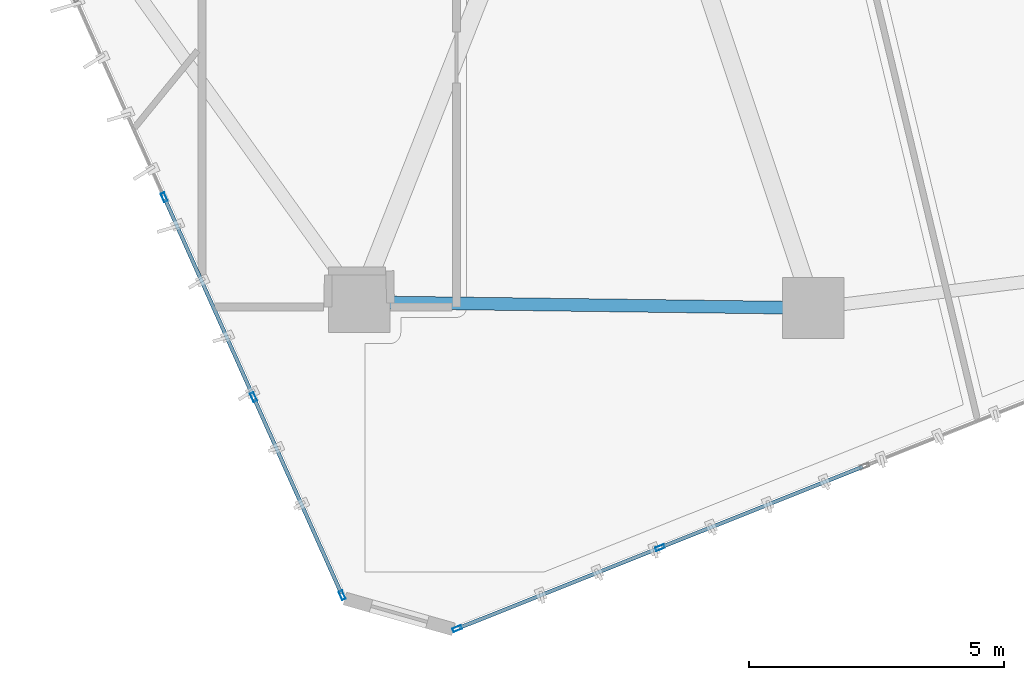
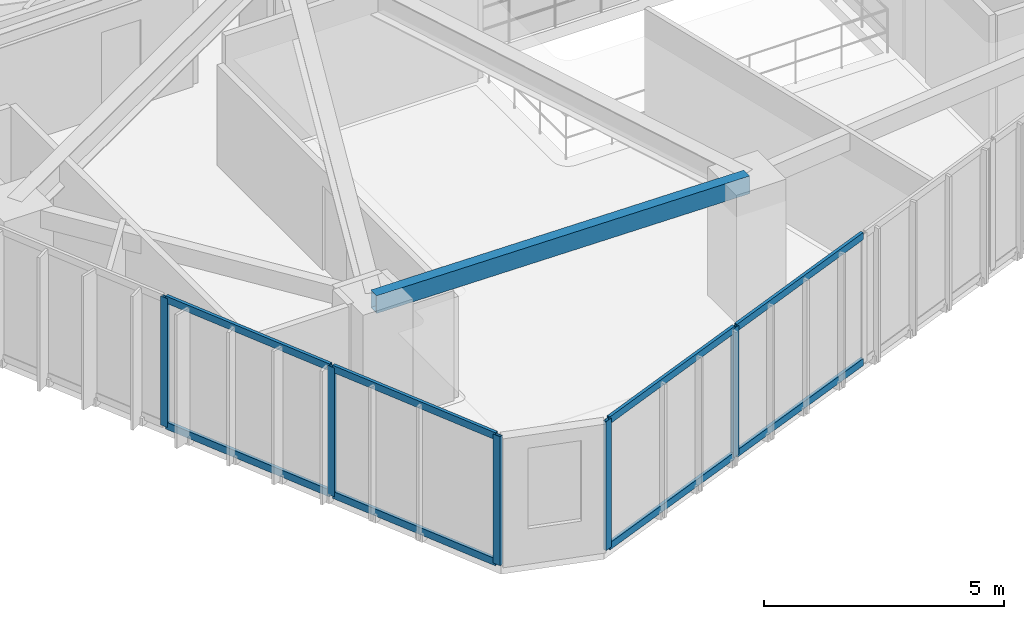
# One storey, part 2 of 22: 13 members, 1 beam, 2 elements without a shape of their own.
"""IFC4 building model written with IfcOpenShell, lengths in metres."""

from ifc_helpers import new_model, si_unit, direction, frame, origin, origin_2d, place, context, subcontext, project, spatial, hollow_rectangle, extrude, source, transform, mapped, material, layer, layer_set, material_profile, profile_set, type_object, type_shapes, element, aggregate, save


model = new_model("IFC4")

# Units and contexts
model_context = context("Model", 3, precision=1e-05, world=origin(), true_north=direction((0.0, 1.0)))
body_context = subcontext(model_context, "Body", "Model", "MODEL_VIEW")
ifc_project = project(units=[si_unit("LENGTHUNIT", "METRE"), si_unit("AREAUNIT", "SQUARE_METRE"), si_unit("VOLUMEUNIT", "CUBIC_METRE"), si_unit("PLANEANGLEUNIT", "RADIAN"), si_unit("MASSUNIT", "GRAM", prefix="KILO")], contexts=[model_context])

# Site, building, storey
site_placement = place(None, origin())
site = spatial("IfcSite", under=ifc_project, at=site_placement, CompositionType="ELEMENT")
building_placement = place(site_placement, origin())
building = spatial("IfcBuilding", under=site, at=building_placement, Name="Talar Marvaseh", CompositionType="ELEMENT")
storey_placement = place(building_placement, frame((0.0, 0.0, 154.199951171875)))
storey = spatial("IfcBuildingStorey", under=building, at=storey_placement, Name="L40", CompositionType="ELEMENT", Elevation=154.199951171875)

# Beam
ifc_material_1 = material(Name="Steel S355", Category="steel")
ifc_material_profile_1 = material_profile(ifc_material_1, hollow_rectangle(XDim=0.25, YDim=0.449951171875, WallThickness=0.01611328125, at=origin_2d()), Name="RHS450x250x16")
ifc_profile_set_1 = profile_set([ifc_material_profile_1], Name="Steel S355")
beam_type = type_object("IfcBeamType", Name="Zone 2 Perimeter Spandrel Beam RHS450x250x16", PredefinedType="SPANDREL", material=ifc_profile_set_1)
beam_placement = place(storey_placement, frame((22.804931640625, 13.18310546875, 3.054931640625), z_axis=(-0.999915383581, 0.013008677034, 0.0), x_axis=(-0.013008677034, -0.999915383581, 0.0)))
element("IfcBeam", 1, at=beam_placement, inside=storey, type_object=beam_type, Name="L40 Zone 2 Perimeter Spandrel Beam RHS450x250x16", PredefinedType="SPANDREL", context=body_context, shape_type="SweptSolid", body=[
    extrude(hollow_rectangle(XDim=0.25, YDim=0.449951171875, WallThickness=0.01611328125, at=origin_2d()), origin(), (0.0, 0.0, 1.0), 8.91455078125),
])

# Curtain wall, members
ifc_material_2 = material(Name="Architectural Aluminium", Category="aluminium")
ifc_layer = layer(ifc_material_2, 0.199951171875)
ifc_layer_set = layer_set([ifc_layer], Name="Architectural Aluminium")
curtain_wall_type = type_object("IfcCurtainWallType", Name="Unitised Acoustic Library Curtain Wall Z2", PredefinedType="NOTDEFINED", material=ifc_layer_set)
curtain_wall_1_placement = place(storey_placement, origin())
curtain_wall_1 = element("IfcCurtainWall", 2, at=curtain_wall_1_placement, inside=storey, type_object=curtain_wall_type, Name="L40 Unitised Acoustic Library Curtain Wall Z2", PredefinedType="NOTDEFINED")
ifc_material_profile_2 = material_profile(ifc_material_2, hollow_rectangle(XDim=0.074951171875, YDim=0.179931640625, WallThickness=0.0048828125, at=origin_2d()), Name="RHS180x75x5")
ifc_profile_set_2 = profile_set([ifc_material_profile_2], Name="Architectural Aluminium")
member_type_1 = type_object("IfcMemberType", Name="Unitised Curtain Wall Transom RHS180x75x5", PredefinedType="USERDEFINED", material=ifc_profile_set_2)
shared_shape_1 = source(origin(), body_context, "Body", "SweptSolid", [
    extrude(hollow_rectangle(XDim=0.074951171875, YDim=0.179931640625, WallThickness=0.0048828125, at=origin_2d()), origin(), (0.0, 0.0, 1.0), 4.222900390625),
])
member_1_placement = place(storey_placement, frame((11.80029296875, 11.468505859375, 0.03759765625), z_axis=(-0.408272250112, 0.912860213717, 0.0), x_axis=(-0.912860213717, -0.408272250112, 0.0)))
member_1 = element("IfcMember", 3, at=member_1_placement, type_object=member_type_1, Name="CW-Z2 transom 2.1", ObjectType="TRANSOM", PredefinedType="USERDEFINED", context=body_context, shape_type="MappedRepresentation", body=[
    mapped(shared_shape_1, transform((0.0, 0.0, 0.0), x_axis=(1.0, 0.0, 0.0), y_axis=(0.0, 1.0, 0.0), z_axis=(0.0, 0.0, 1.0), scale=1.0)),
])
member_2_placement = place(storey_placement, frame((11.80029296875, 11.468505859375, 3.242431640625), z_axis=(-0.408272250112, 0.912860213717, 0.0), x_axis=(-0.912860213717, -0.408272250112, 0.0)))
member_2 = element("IfcMember", 4, at=member_2_placement, type_object=member_type_1, Name="CW-Z2 transom 2.2", ObjectType="TRANSOM", PredefinedType="USERDEFINED", context=body_context, shape_type="MappedRepresentation", body=[
    mapped(shared_shape_1, transform((0.0, 0.0, 0.0), x_axis=(1.0, 0.0, 0.0), y_axis=(0.0, 1.0, 0.0), z_axis=(0.0, 0.0, 1.0), scale=1.0)),
])
shared_shape_2 = source(origin(), body_context, "Body", "SweptSolid", [
    extrude(hollow_rectangle(XDim=0.074951171875, YDim=0.179931640625, WallThickness=0.0048828125, at=origin_2d()), origin(), (0.0, 0.0, 1.0), 4.185546875),
])
member_3_placement = place(storey_placement, frame((13.539794921875, 7.579345703125, 0.03759765625), z_axis=(-0.40830210934, 0.912846858738, 0.0), x_axis=(-0.912846858738, -0.40830210934, 0.0)))
member_3 = element("IfcMember", 5, at=member_3_placement, type_object=member_type_1, Name="CW-Z2 transom 1.1", ObjectType="TRANSOM", PredefinedType="USERDEFINED", context=body_context, shape_type="MappedRepresentation", body=[
    mapped(shared_shape_2, transform((0.0, 0.0, 0.0), x_axis=(1.0, 0.0, 0.0), y_axis=(0.0, 1.0, 0.0), z_axis=(0.0, 0.0, 1.0), scale=1.0)),
])
member_4_placement = place(storey_placement, frame((13.539794921875, 7.579345703125, 3.242431640625), z_axis=(-0.40830210934, 0.912846858738, 0.0), x_axis=(-0.912846858738, -0.40830210934, 0.0)))
member_4 = element("IfcMember", 6, at=member_4_placement, type_object=member_type_1, Name="CW-Z2 transom 1.2", ObjectType="TRANSOM", PredefinedType="USERDEFINED", context=body_context, shape_type="MappedRepresentation", body=[
    mapped(shared_shape_2, transform((0.0, 0.0, 0.0), x_axis=(1.0, 0.0, 0.0), y_axis=(0.0, 1.0, 0.0), z_axis=(0.0, 0.0, 1.0), scale=1.0)),
])

curtain_wall_2_placement = place(storey_placement, origin())
curtain_wall_2 = element("IfcCurtainWall", 7, at=curtain_wall_2_placement, inside=storey, type_object=curtain_wall_type, Name="L40 Unitised Acoustic Library Curtain Wall Z2", PredefinedType="NOTDEFINED")
shared_shape_3 = source(origin(), body_context, "Body", "SweptSolid", [
    extrude(hollow_rectangle(XDim=0.074951171875, YDim=0.179931640625, WallThickness=0.0048828125, at=origin_2d()), origin(), (0.0, 0.0, 1.0), 4.24853515625),
])
member_5_placement = place(storey_placement, frame((23.776123046875, 10.06689453125, 0.03759765625), z_axis=(-0.928749893509, -0.370706939923, 0.0), x_axis=(0.370706939923, -0.928749893509, 0.0)))
member_5 = element("IfcMember", 8, at=member_5_placement, type_object=member_type_1, Name="CW-Z2 transom 4.1", ObjectType="TRANSOM", PredefinedType="USERDEFINED", context=body_context, shape_type="MappedRepresentation", body=[
    mapped(shared_shape_3, transform((0.0, 0.0, 0.0), x_axis=(1.0, 0.0, 0.0), y_axis=(0.0, 1.0, 0.0), z_axis=(0.0, 0.0, 1.0), scale=1.0)),
])
member_6_placement = place(storey_placement, frame((23.776123046875, 10.06689453125, 3.242431640625), z_axis=(-0.928749893509, -0.370706939923, 0.0), x_axis=(0.370706939923, -0.928749893509, 0.0)))
member_6 = element("IfcMember", 9, at=member_6_placement, type_object=member_type_1, Name="CW-Z2 transom 4.2", ObjectType="TRANSOM", PredefinedType="USERDEFINED", context=body_context, shape_type="MappedRepresentation", body=[
    mapped(shared_shape_3, transform((0.0, 0.0, 0.0), x_axis=(1.0, 0.0, 0.0), y_axis=(0.0, 1.0, 0.0), z_axis=(0.0, 0.0, 1.0), scale=1.0)),
])
shared_shape_4 = source(origin(), body_context, "Body", "SweptSolid", [
    extrude(hollow_rectangle(XDim=0.074951171875, YDim=0.179931640625, WallThickness=0.0048828125, at=origin_2d()), origin(), (0.0, 0.0, 1.0), 4.2109375),
])
type_shapes(member_type_1, [shared_shape_1, shared_shape_2, shared_shape_3, shared_shape_4])
member_7_placement = place(storey_placement, frame((19.760498046875, 8.464111328125, 0.03759765625), z_axis=(-0.928748338528, -0.370710835667, 0.0), x_axis=(0.370710835667, -0.928748338528, 0.0)))
member_7 = element("IfcMember", 10, at=member_7_placement, type_object=member_type_1, Name="CW-Z2 transom 5.1", ObjectType="TRANSOM", PredefinedType="USERDEFINED", context=body_context, shape_type="MappedRepresentation", body=[
    mapped(shared_shape_4, transform((0.0, 0.0, 0.0), x_axis=(1.0, 0.0, 0.0), y_axis=(0.0, 1.0, 0.0), z_axis=(0.0, 0.0, 1.0), scale=1.0)),
])
member_8_placement = place(storey_placement, frame((19.760498046875, 8.464111328125, 3.242431640625), z_axis=(-0.928748338528, -0.370710835667, 0.0), x_axis=(0.370710835667, -0.928748338528, 0.0)))
member_8 = element("IfcMember", 11, at=member_8_placement, type_object=member_type_1, Name="CW-Z2 transom 5.2", ObjectType="TRANSOM", PredefinedType="USERDEFINED", context=body_context, shape_type="MappedRepresentation", body=[
    mapped(shared_shape_4, transform((0.0, 0.0, 0.0), x_axis=(1.0, 0.0, 0.0), y_axis=(0.0, 1.0, 0.0), z_axis=(0.0, 0.0, 1.0), scale=1.0)),
])

# Member
ifc_material_profile_3 = material_profile(ifc_material_2, hollow_rectangle(XDim=0.074951171875, YDim=0.179931640625, WallThickness=0.0048828125, at=origin_2d()), Name="RHS180x75x5")
ifc_profile_set_3 = profile_set([ifc_material_profile_3], Name="Architectural Aluminium")
member_type_2 = type_object("IfcMemberType", Name="Unitised Curtain Wall Standard Mullion RHS180x75x5", PredefinedType="MULLION", material=ifc_profile_set_3)
shared_shape_5 = source(origin(), body_context, "Body", "SweptSolid", [
    extrude(hollow_rectangle(XDim=0.074951171875, YDim=0.179931640625, WallThickness=0.0048828125, at=origin_2d()), origin(), (0.0, 0.0, 1.0), 3.280029296875),
])
type_shapes(member_type_2, [shared_shape_5])
member_9_placement = place(storey_placement, frame((13.554931640625, 7.545166015625, 0.0), z_axis=(0.0, 0.0, 1.0), x_axis=(-0.912861099271, -0.408270270087, 0.0)))
member_9 = element("IfcMember", 12, at=member_9_placement, type_object=member_type_2, Name="CW-Z2 mullion 1", PredefinedType="MULLION", context=body_context, shape_type="MappedRepresentation", body=[
    mapped(shared_shape_5, transform((0.0, 0.0, 0.0), x_axis=(1.0, 0.0, 0.0), y_axis=(0.0, 1.0, 0.0), z_axis=(0.0, 0.0, 1.0), scale=1.0)),
])

member_10_placement = place(storey_placement, frame((11.815673828125, 11.434326171875, 0.0), z_axis=(0.0, 0.0, 1.0), x_axis=(-0.912861099271, -0.408270270087, 0.0)))
member_10 = element("IfcMember", 13, at=member_10_placement, type_object=member_type_2, Name="CW-Z2 mullion 2", PredefinedType="MULLION", context=body_context, shape_type="MappedRepresentation", body=[
    mapped(shared_shape_5, transform((0.0, 0.0, 0.0), x_axis=(1.0, 0.0, 0.0), y_axis=(0.0, 1.0, 0.0), z_axis=(0.0, 0.0, 1.0), scale=1.0)),
])

member_11_placement = place(storey_placement, frame((10.060791015625, 15.357666015625, 0.0), z_axis=(0.0, 0.0, 1.0), x_axis=(-0.912861099271, -0.408270270087, 0.0)))
member_11 = element("IfcMember", 14, at=member_11_placement, type_object=member_type_2, Name="CW-Z2 mullion 3", PredefinedType="MULLION", context=body_context, shape_type="MappedRepresentation", body=[
    mapped(shared_shape_5, transform((0.0, 0.0, 0.0), x_axis=(1.0, 0.0, 0.0), y_axis=(0.0, 1.0, 0.0), z_axis=(0.0, 0.0, 1.0), scale=1.0)),
])

aggregate(curtain_wall_1, [member_9, member_10, member_11, member_3, member_4, member_1, member_2])

member_12_placement = place(storey_placement, frame((19.79541015625, 8.47802734375, 0.0), z_axis=(0.0, 0.0, 1.0), x_axis=(0.370702278732, -0.928751753992, 0.0)))
member_12 = element("IfcMember", 15, at=member_12_placement, type_object=member_type_2, Name="CW-Z2 mullion 5", PredefinedType="MULLION", context=body_context, shape_type="MappedRepresentation", body=[
    mapped(shared_shape_5, transform((0.0, 0.0, 0.0), x_axis=(1.0, 0.0, 0.0), y_axis=(0.0, 1.0, 0.0), z_axis=(0.0, 0.0, 1.0), scale=1.0)),
])

member_13_placement = place(storey_placement, frame((15.814697265625, 6.88916015625, 0.0), z_axis=(0.0, 0.0, 1.0), x_axis=(0.370702278732, -0.928751753992, 0.0)))
member_13 = element("IfcMember", 16, at=member_13_placement, type_object=member_type_2, Name="CW-Z2 mullion 6", PredefinedType="MULLION", context=body_context, shape_type="MappedRepresentation", body=[
    mapped(shared_shape_5, transform((0.0, 0.0, 0.0), x_axis=(1.0, 0.0, 0.0), y_axis=(0.0, 1.0, 0.0), z_axis=(0.0, 0.0, 1.0), scale=1.0)),
])

aggregate(curtain_wall_2, [member_12, member_13, member_5, member_6, member_7, member_8])

save(model, "model.ifc")
